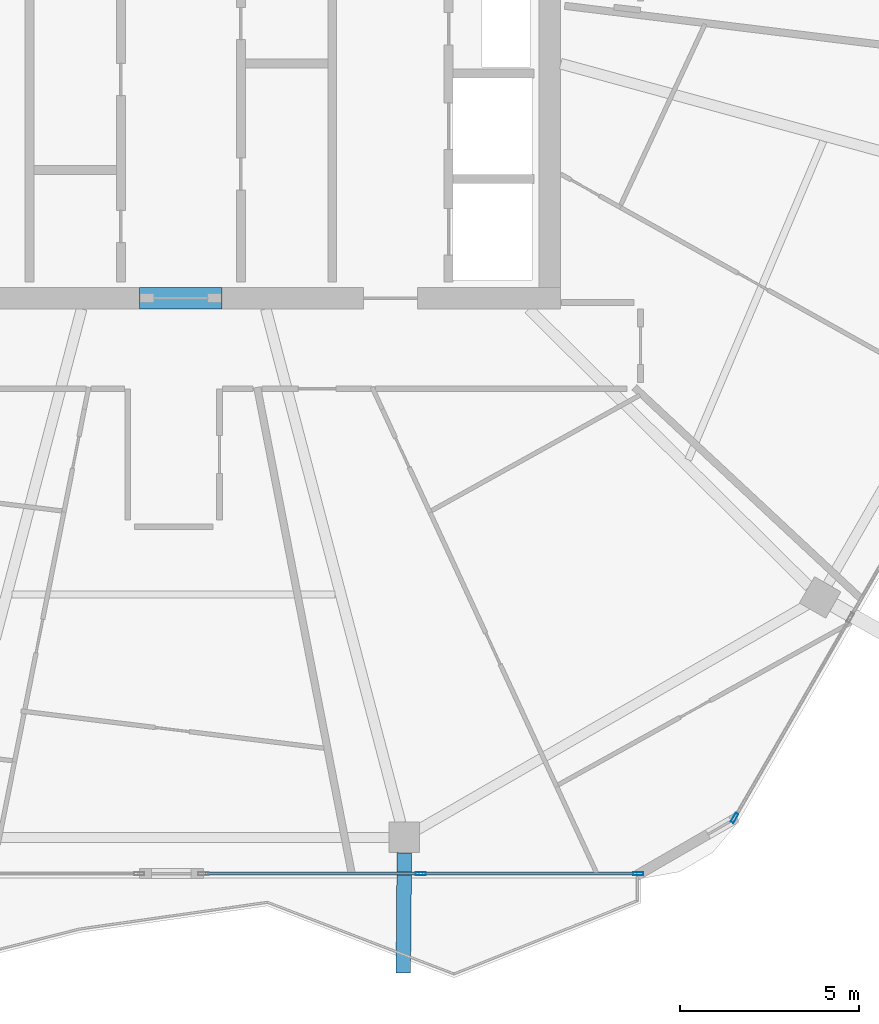
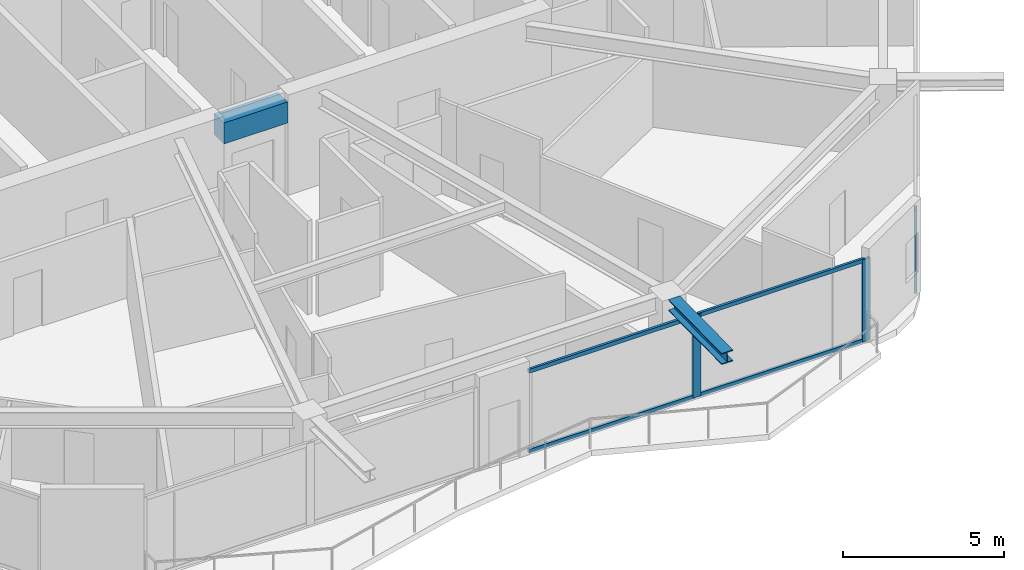
# One storey, part 7 of 27: 7 members, 2 beams, 2 elements without a shape of their own.
"""IFC4 building model written with IfcOpenShell, lengths in metres."""

from ifc_helpers import new_model, si_unit, direction, frame, origin, origin_2d, place, context, subcontext, project, spatial, rectangle, hollow_rectangle, i_section, extrude, material, material_profile, profile_set, type_object, element, aggregate, save


model = new_model("IFC4")

# Units and contexts
model_context = context("Model", 3, precision=1e-05, world=origin(), true_north=direction((0.0, 1.0)))
body_context = subcontext(model_context, "Body", "Model", "MODEL_VIEW")
ifc_project = project(units=[si_unit("LENGTHUNIT", "METRE"), si_unit("AREAUNIT", "SQUARE_METRE"), si_unit("VOLUMEUNIT", "CUBIC_METRE"), si_unit("PLANEANGLEUNIT", "RADIAN"), si_unit("MASSUNIT", "GRAM", prefix="KILO")], contexts=[model_context])

# Site, building, storey
site_placement = place(None, origin())
site = spatial("IfcSite", under=ifc_project, at=site_placement, CompositionType="ELEMENT")
building_placement = place(site_placement, origin())
building = spatial("IfcBuilding", under=site, at=building_placement, Name="Zuhravey Tower", CompositionType="ELEMENT")
storey_placement = place(building_placement, frame((0.0, 0.0, 265.39990234375)))
storey = spatial("IfcBuildingStorey", under=building, at=storey_placement, Name="L67", CompositionType="ELEMENT", Elevation=265.39990234375)

# Beam
ifc_material_1 = material(Name="Concrete C50/60", Category="concrete")
ifc_material_profile_1 = material_profile(ifc_material_1, rectangle(XDim=0.60009765625, YDim=0.800048828125, at=origin_2d()), Name="RC-600x800")
ifc_profile_set_1 = profile_set([ifc_material_profile_1], Name="Concrete C50/60")
beam_type_1 = type_object("IfcBeamType", Name="Core Coupling Beam RC600x800", PredefinedType="LINTEL", material=ifc_profile_set_1)
beam_1_placement = place(storey_placement, frame((35.052001953125, 22.5, 3.150146484375), z_axis=(1.0, 0.0, 0.0), x_axis=(0.0, 1.0, 0.0)))
element("IfcBeam", 1, at=beam_1_placement, inside=storey, type_object=beam_type_1, Name="L67 CB2 BM-L67-CB-S", PredefinedType="LINTEL", context=body_context, shape_type="SweptSolid", body=[
    extrude(rectangle(XDim=0.60009765625, YDim=0.800048828125, at=origin_2d()), origin(), (0.0, 0.0, 1.0), 2.2958984375),
])

# Curtain wall, member
ifc_material_2 = material(Name="Thermally broken anodised aluminium", Category="aluminium")
curtain_wall_type = type_object("IfcCurtainWallType", Name="Zone 3-4 High-Rise Curtain Wall CW4", PredefinedType="NOTDEFINED", material=ifc_material_2)
curtain_wall_1_placement = place(storey_placement, origin())
curtain_wall_1 = element("IfcCurtainWall", 2, at=curtain_wall_1_placement, inside=storey, type_object=curtain_wall_type, Name="L67 CW4 CW-L67-F6-1", PredefinedType="NOTDEFINED")
ifc_material_3 = material(Name="Anodised aluminium", Category="aluminium")
ifc_material_profile_2 = material_profile(ifc_material_3, hollow_rectangle(XDim=0.090087890625, YDim=0.284912109375, WallThickness=0.0048828125, at=origin_2d()), Name="ALU-RHS-90x285x5")
ifc_profile_set_2 = profile_set([ifc_material_profile_2], Name="Anodised aluminium")
member_type_1 = type_object("IfcMemberType", Name="Curtain-Wall Mullion 90x180", PredefinedType="MULLION", material=ifc_profile_set_2)
member_1_placement = place(storey_placement, frame((51.65478515625, 7.98779296875, 0.0), z_axis=(0.0, 0.0, 1.0), x_axis=(0.866024851021, -0.500000957414, 0.0)))
member_1 = element("IfcMember", 3, at=member_1_placement, type_object=member_type_1, Name="CW4 mullion 5", PredefinedType="MULLION", context=body_context, shape_type="SweptSolid", body=[
    extrude(hollow_rectangle(XDim=0.090087890625, YDim=0.284912109375, WallThickness=0.0048828125, at=origin_2d()), origin(), (0.0, 0.0, 1.0), 3.1220703125),
])
aggregate(curtain_wall_1, [member_1])

# Curtain wall, members
curtain_wall_2_placement = place(storey_placement, origin())
curtain_wall_2 = element("IfcCurtainWall", 4, at=curtain_wall_2_placement, inside=storey, type_object=curtain_wall_type, Name="L67 CW4 CW-L67-F5-1", PredefinedType="NOTDEFINED")
member_2_placement = place(storey_placement, frame((48.9677734375, 6.436279296875, 0.0), z_axis=(0.0, 0.0, 1.0), x_axis=(0.0, -1.0, 0.0)))
member_2 = element("IfcMember", 5, at=member_2_placement, type_object=member_type_1, Name="CW4 mullion 1", PredefinedType="MULLION", context=body_context, shape_type="SweptSolid", body=[
    extrude(hollow_rectangle(XDim=0.090087890625, YDim=0.284912109375, WallThickness=0.0048828125, at=origin_2d()), origin(), (0.0, 0.0, 1.0), 3.1220703125),
])
member_3_placement = place(storey_placement, frame((42.898193359375, 6.436279296875, 0.0), z_axis=(0.0, 0.0, 1.0), x_axis=(0.0, -1.0, 0.0)))
member_3 = element("IfcMember", 6, at=member_3_placement, type_object=member_type_1, Name="CW4 mullion 2", PredefinedType="MULLION", context=body_context, shape_type="SweptSolid", body=[
    extrude(hollow_rectangle(XDim=0.090087890625, YDim=0.284912109375, WallThickness=0.0048828125, at=origin_2d()), origin(), (0.0, 0.0, 1.0), 3.1220703125),
])
ifc_material_profile_3 = material_profile(ifc_material_3, hollow_rectangle(XDim=0.090087890625, YDim=0.14990234375, WallThickness=0.0048828125, at=origin_2d()), Name="ALU-RHS-90x150x5")
ifc_profile_set_3 = profile_set([ifc_material_profile_3], Name="Anodised aluminium")
member_type_2 = type_object("IfcMemberType", Name="Curtain-Wall Transom 90x150", PredefinedType="USERDEFINED", material=ifc_profile_set_3)
member_4_placement = place(storey_placement, frame((48.922607421875, 6.436279296875, 0.045166015625), z_axis=(-1.0, 0.0, 0.0), x_axis=(0.0, -1.0, 0.0)))
member_4 = element("IfcMember", 7, at=member_4_placement, type_object=member_type_2, Name="CW4 transom 1.1", ObjectType="TRANSOM", PredefinedType="USERDEFINED", context=body_context, shape_type="SweptSolid", body=[
    extrude(hollow_rectangle(XDim=0.090087890625, YDim=0.14990234375, WallThickness=0.0048828125, at=origin_2d()), origin(), (0.0, 0.0, 1.0), 5.9794921875),
])
member_5_placement = place(storey_placement, frame((48.922607421875, 6.436279296875, 3.0771484375), z_axis=(-1.0, 0.0, 0.0), x_axis=(0.0, -1.0, 0.0)))
member_5 = element("IfcMember", 8, at=member_5_placement, type_object=member_type_2, Name="CW4 transom 1.2", ObjectType="TRANSOM", PredefinedType="USERDEFINED", context=body_context, shape_type="SweptSolid", body=[
    extrude(hollow_rectangle(XDim=0.090087890625, YDim=0.14990234375, WallThickness=0.0048828125, at=origin_2d()), origin(), (0.0, 0.0, 1.0), 5.9794921875),
])
member_6_placement = place(storey_placement, frame((42.85302734375, 6.436279296875, 0.045166015625), z_axis=(-1.0, 0.0, 0.0), x_axis=(0.0, -1.0, 0.0)))
member_6 = element("IfcMember", 9, at=member_6_placement, type_object=member_type_2, Name="CW4 transom 2.1", ObjectType="TRANSOM", PredefinedType="USERDEFINED", context=body_context, shape_type="SweptSolid", body=[
    extrude(hollow_rectangle(XDim=0.090087890625, YDim=0.14990234375, WallThickness=0.0048828125, at=origin_2d()), origin(), (0.0, 0.0, 1.0), 5.9794921875),
])
member_7_placement = place(storey_placement, frame((42.85302734375, 6.436279296875, 3.0771484375), z_axis=(-1.0, 0.0, 0.0), x_axis=(0.0, -1.0, 0.0)))
member_7 = element("IfcMember", 10, at=member_7_placement, type_object=member_type_2, Name="CW4 transom 2.2", ObjectType="TRANSOM", PredefinedType="USERDEFINED", context=body_context, shape_type="SweptSolid", body=[
    extrude(hollow_rectangle(XDim=0.090087890625, YDim=0.14990234375, WallThickness=0.0048828125, at=origin_2d()), origin(), (0.0, 0.0, 1.0), 5.9794921875),
])
aggregate(curtain_wall_2, [member_2, member_3, member_4, member_5, member_6, member_7])

# Beam
ifc_material_4 = material(Name="Steel SM460", Category="steel")
ifc_material_profile_4 = material_profile(ifc_material_4, i_section(OverallWidth=0.406982421875, OverallDepth=0.427978515625, WebThickness=0.02001953125, FlangeThickness=0.034912109375, at=origin_2d()), Name="H-428x407x20x35")
ifc_profile_set_4 = profile_set([ifc_material_profile_4], Name="Steel SM460")
beam_type_2 = type_object("IfcBeamType", Name="Exoskeleton Node Tie Beam H428x407", PredefinedType="BEAM", material=ifc_profile_set_4)
beam_2_placement = place(storey_placement, frame((42.437255859375, 7.017333984375, 3.336181640625), z_axis=(-0.008802219731, -0.999961259713, 0.0), x_axis=(0.999961259713, -0.008802219731, 0.0)))
element("IfcBeam", 11, at=beam_2_placement, inside=storey, type_object=beam_type_2, Name="L67 Exoskeleton Node Tie NT1-10", PredefinedType="BEAM", context=body_context, shape_type="SweptSolid", body=[
    extrude(i_section(OverallWidth=0.406982421875, OverallDepth=0.427978515625, WebThickness=0.02001953125, FlangeThickness=0.034912109375, at=origin_2d()), origin(), (0.0, 0.0, 1.0), 3.356201171875),
])

save(model, "model.ifc")
